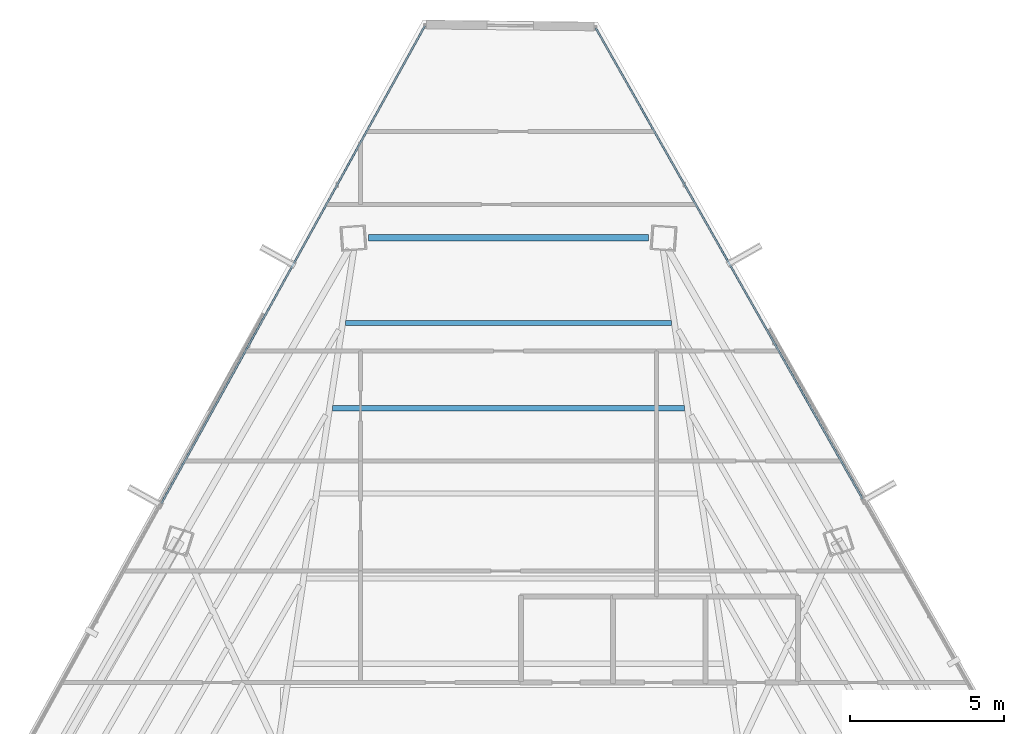
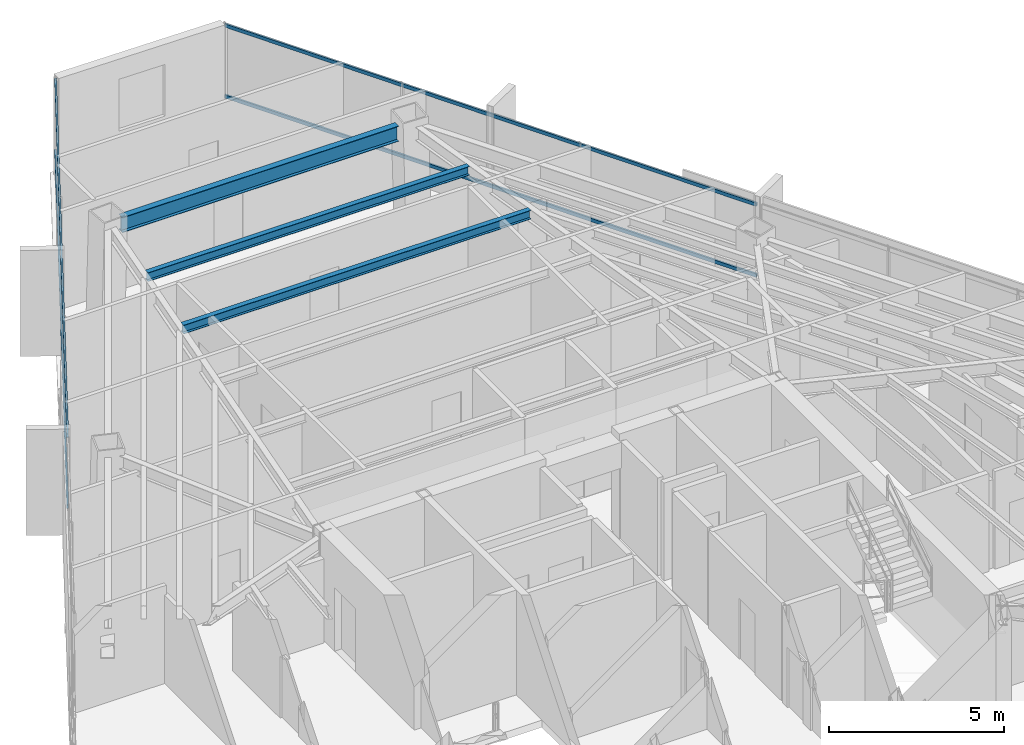
# One storey, part 30 of 42: 4 members, 3 beams, 2 elements without a shape of their own.
"""IFC4 building model written with IfcOpenShell, lengths in metres."""

from ifc_helpers import new_model, si_unit, direction, frame, origin, origin_2d, place, context, subcontext, project, spatial, hollow_rectangle, i_section, extrude, source, transform, mapped, material, material_profile, profile_set, type_object, type_shapes, element, aggregate, save


model = new_model("IFC4")

# Units and contexts
model_context = context("Model", 3, precision=1e-05, world=origin(), true_north=direction((0.0, 1.0)))
body_context = subcontext(model_context, "Body", "Model", "MODEL_VIEW")
ifc_project = project(units=[si_unit("LENGTHUNIT", "METRE"), si_unit("AREAUNIT", "SQUARE_METRE"), si_unit("VOLUMEUNIT", "CUBIC_METRE"), si_unit("PLANEANGLEUNIT", "RADIAN"), si_unit("MASSUNIT", "GRAM", prefix="KILO")], contexts=[model_context])

# Site, building, storey
site_placement = place(None, origin())
site = spatial("IfcSite", under=ifc_project, at=site_placement, CompositionType="ELEMENT")
building_placement = place(site_placement, origin())
building = spatial("IfcBuilding", under=site, at=building_placement, Name="Caelisora Broadcast Tower", CompositionType="ELEMENT")
storey_placement = place(building_placement, frame((0.0, 0.0, 205.949951171875)))
storey = spatial("IfcBuildingStorey", under=building, at=storey_placement, Name="L54", CompositionType="ELEMENT", Elevation=205.949951171875)

# Beams
ifc_material_1 = material(Name="Steel Grade 350 (AS/NZS 3679.1)", Category="steel")
ifc_material_profile_1 = material_profile(ifc_material_1, i_section(OverallWidth=0.208984375, OverallDepth=0.532958984375, WebThickness=0.01025390625, FlangeThickness=0.015625, at=origin_2d()), Name="Steel Grade 350 (AS/NZS 3679.1)")
ifc_profile_set_1 = profile_set([ifc_material_profile_1], Name="Steel Grade 350 (AS/NZS 3679.1)")
beam_type_1 = type_object("IfcBeamType", Name="PG05", PredefinedType="BEAM", material=ifc_profile_set_1)
shared_shape_1 = source(origin(), body_context, "Body", "SweptSolid", [
    extrude(i_section(OverallWidth=0.208984375, OverallDepth=0.532958984375, WebThickness=0.01025390625, FlangeThickness=0.015625, at=origin_2d()), origin(), (0.0, 0.0, 1.0), 9.095703125),
])
type_shapes(beam_type_1, [shared_shape_1])
beam_1_placement = place(storey_placement, frame((42.5478515625, 46.59228515625, 3.133544921875), z_axis=(-1.0, 0.0, 0.0), x_axis=(0.0, -1.0, 0.0)))
element("IfcBeam", 1, at=beam_1_placement, inside=storey, type_object=beam_type_1, Name="L54 beam PG05", PredefinedType="BEAM", context=body_context, shape_type="MappedRepresentation", body=[
    mapped(shared_shape_1, transform((0.0, 0.0, 0.0), scale=1.0)),
])
ifc_material_profile_2 = material_profile(ifc_material_1, i_section(OverallWidth=0.166015625, OverallDepth=0.30712890625, WebThickness=0.006591796875, FlangeThickness=0.01171875, at=origin_2d()), Name="Steel Grade 350 (AS/NZS 3679.1)")
ifc_profile_set_2 = profile_set([ifc_material_profile_2], Name="Steel Grade 350 (AS/NZS 3679.1)")
beam_type_2 = type_object("IfcBeamType", Name="SB03", PredefinedType="JOIST", material=ifc_profile_set_2)
shared_shape_2 = source(origin(), body_context, "Body", "SweptSolid", [
    extrude(i_section(OverallWidth=0.166015625, OverallDepth=0.30712890625, WebThickness=0.006591796875, FlangeThickness=0.01171875, at=origin_2d()), origin(), (0.0, 0.0, 1.0), 11.431640625),
])
beam_2_placement = place(storey_placement, frame((43.7158203125, 41.0615234375, 3.246337890625), z_axis=(-1.0, 0.0, 0.0), x_axis=(0.0, -1.0, 0.0)))
element("IfcBeam", 2, at=beam_2_placement, inside=storey, type_object=beam_type_2, Name="L54 beam SB03", PredefinedType="JOIST", context=body_context, shape_type="MappedRepresentation", body=[
    mapped(shared_shape_2, transform((0.0, 0.0, 0.0), scale=1.0)),
])
shared_shape_3 = source(origin(), body_context, "Body", "SweptSolid", [
    extrude(i_section(OverallWidth=0.166015625, OverallDepth=0.30712890625, WebThickness=0.006591796875, FlangeThickness=0.01171875, at=origin_2d()), origin(), (0.0, 0.0, 1.0), 10.5859375),
])
type_shapes(beam_type_2, [shared_shape_2, shared_shape_3])
beam_3_placement = place(storey_placement, frame((43.29296875, 43.826904296875, 3.246337890625), z_axis=(-1.0, 0.0, 0.0), x_axis=(0.0, -1.0, 0.0)))
element("IfcBeam", 3, at=beam_3_placement, inside=storey, type_object=beam_type_2, Name="L54 beam SB03", PredefinedType="JOIST", context=body_context, shape_type="MappedRepresentation", body=[
    mapped(shared_shape_3, transform((0.0, 0.0, 0.0), scale=1.0)),
])

# Curtain wall, members
ifc_material_2 = material(Name="Unitised Aluminium and Low-E Glass Curtain Wall", Category="glass")
curtain_wall_type = type_object("IfcCurtainWallType", Name="CW-Z4", PredefinedType="NOTDEFINED", material=ifc_material_2)
curtain_wall_1_placement = place(storey_placement, origin())
curtain_wall_1 = element("IfcCurtainWall", 4, at=curtain_wall_1_placement, inside=storey, type_object=curtain_wall_type, Name="L54 curtain wall CW-Z4", PredefinedType="NOTDEFINED")
ifc_material_3 = material(Name="Aluminium 6063-T6 Anodised Terracotta Bronze", Category="aluminium")
ifc_material_profile_3 = material_profile(ifc_material_3, hollow_rectangle(XDim=0.06005859375, YDim=0.1201171875, WallThickness=0.0029296875, at=origin_2d()), Name="Aluminium 6063-T6 Anodised Terracotta Bronze")
ifc_profile_set_3 = profile_set([ifc_material_profile_3], Name="Aluminium 6063-T6 Anodised Terracotta Bronze")
member_type = type_object("IfcMemberType", Name="CWT-03", PredefinedType="USERDEFINED", material=ifc_profile_set_3)
shared_shape_4 = source(origin(), body_context, "Body", "SweptSolid", [
    extrude(hollow_rectangle(XDim=0.06005859375, YDim=0.1201171875, WallThickness=0.0029296875, at=origin_2d()), origin(), (0.0, 0.0, 1.0), 17.5859375),
])
member_1_placement = place(storey_placement, frame((40.83056640625, 53.41357421875, 0.85009765625), z_axis=(0.492975091705, -0.870043423605, 0.0), x_axis=(0.870043423605, 0.492975091705, 0.0)))
member_1 = element("IfcMember", 5, at=member_1_placement, type_object=member_type, Name="L54-CW-B01 transom #1", ObjectType="TRANSOM", PredefinedType="USERDEFINED", context=body_context, shape_type="MappedRepresentation", body=[
    mapped(shared_shape_4, transform((0.0, 0.0, 0.0), scale=1.0)),
])
member_2_placement = place(storey_placement, frame((40.83056640625, 53.41357421875, 3.320068359375), z_axis=(0.492975091705, -0.870043423605, 0.0), x_axis=(0.870043423605, 0.492975091705, 0.0)))
member_2 = element("IfcMember", 6, at=member_2_placement, type_object=member_type, Name="L54-CW-B01 transom #2", ObjectType="TRANSOM", PredefinedType="USERDEFINED", context=body_context, shape_type="MappedRepresentation", body=[
    mapped(shared_shape_4, transform((0.0, 0.0, 0.0), scale=1.0)),
])
aggregate(curtain_wall_1, [member_1, member_2])

curtain_wall_2_placement = place(storey_placement, origin())
curtain_wall_2 = element("IfcCurtainWall", 7, at=curtain_wall_2_placement, inside=storey, type_object=curtain_wall_type, Name="L54 curtain wall CW-Z4", PredefinedType="NOTDEFINED")
shared_shape_5 = source(origin(), body_context, "Body", "SweptSolid", [
    extrude(hollow_rectangle(XDim=0.06005859375, YDim=0.1201171875, WallThickness=0.0029296875, at=origin_2d()), origin(), (0.0, 0.0, 1.0), 17.708251953125),
])
type_shapes(member_type, [shared_shape_4, shared_shape_5])
member_3_placement = place(storey_placement, frame((26.727294921875, 37.97021484375, 0.85009765625), z_axis=(0.48307843631, 0.875577080772, 0.0), x_axis=(-0.875577080772, 0.48307843631, 0.0)))
member_3 = element("IfcMember", 8, at=member_3_placement, type_object=member_type, Name="L54-CW-B11 transom #1", ObjectType="TRANSOM", PredefinedType="USERDEFINED", context=body_context, shape_type="MappedRepresentation", body=[
    mapped(shared_shape_5, transform((0.0, 0.0, 0.0), scale=1.0)),
])
member_4_placement = place(storey_placement, frame((26.727294921875, 37.97021484375, 3.320068359375), z_axis=(0.48307843631, 0.875577080772, 0.0), x_axis=(-0.875577080772, 0.48307843631, 0.0)))
member_4 = element("IfcMember", 9, at=member_4_placement, type_object=member_type, Name="L54-CW-B11 transom #2", ObjectType="TRANSOM", PredefinedType="USERDEFINED", context=body_context, shape_type="MappedRepresentation", body=[
    mapped(shared_shape_5, transform((0.0, 0.0, 0.0), scale=1.0)),
])
aggregate(curtain_wall_2, [member_3, member_4])

save(model, "model.ifc")
